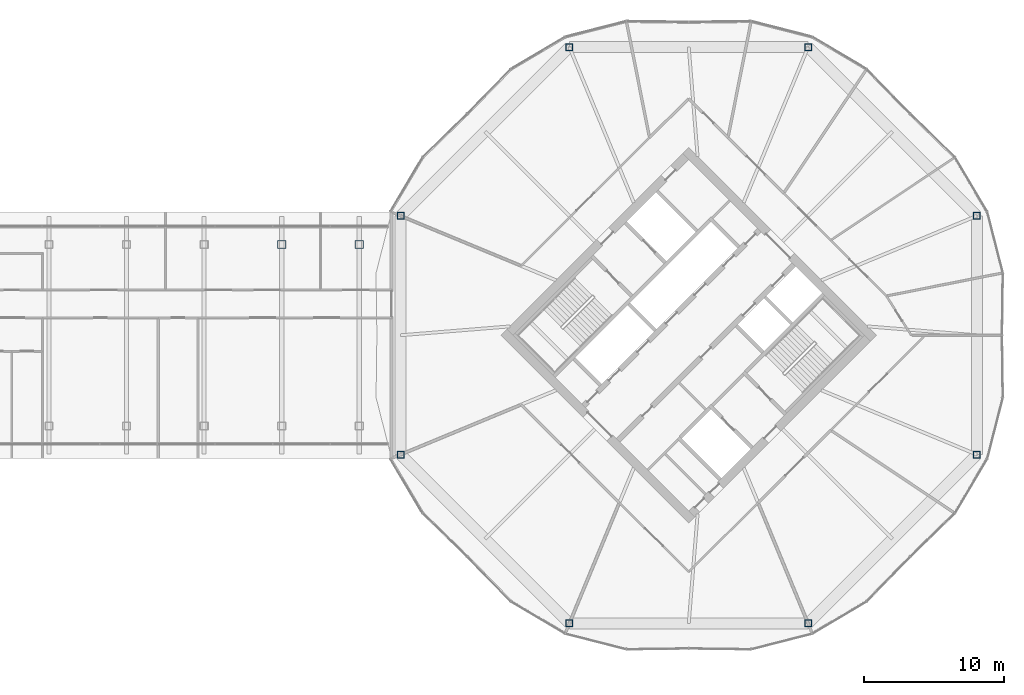
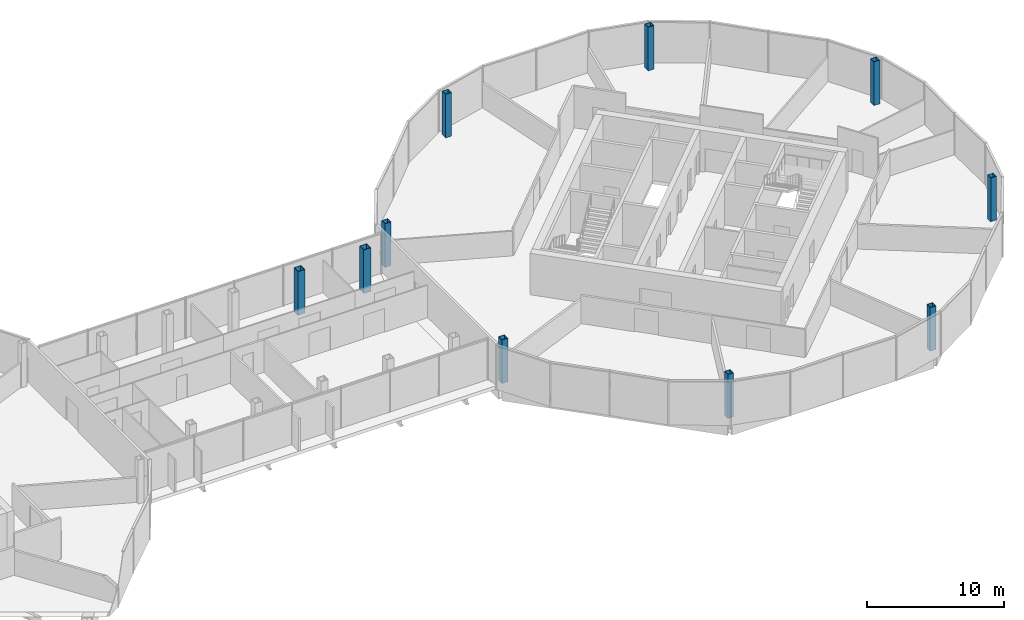
# One storey, part 2 of 26: 10 columns.
"""IFC4 building model written with IfcOpenShell, lengths in metres."""

from ifc_helpers import new_model, si_unit, direction, frame, origin, origin_2d, place, context, subcontext, project, spatial, hollow_rectangle, extrude, material, material_profile, profile_set, type_object, element, save


model = new_model("IFC4")

# Units and contexts
model_context = context("Model", 3, precision=1e-05, world=origin(), true_north=direction((0.0, 1.0)))
body_context = subcontext(model_context, "Body", "Model", "MODEL_VIEW")
ifc_project = project(units=[si_unit("LENGTHUNIT", "METRE"), si_unit("AREAUNIT", "SQUARE_METRE"), si_unit("VOLUMEUNIT", "CUBIC_METRE"), si_unit("PLANEANGLEUNIT", "RADIAN"), si_unit("MASSUNIT", "GRAM", prefix="KILO")], contexts=[model_context])

# Site, building, storey
site_placement = place(None, origin())
site = spatial("IfcSite", under=ifc_project, at=site_placement, CompositionType="ELEMENT")
building_placement = place(site_placement, origin())
building = spatial("IfcBuilding", under=site, at=building_placement, Name="Ogive Gate Towers", CompositionType="ELEMENT")
storey_placement = place(building_placement, frame((0.0, 0.0, 156.800048828125)))
storey = spatial("IfcBuildingStorey", under=building, at=storey_placement, Name="L37", CompositionType="ELEMENT", Elevation=156.800048828125)

# Columns
ifc_material = material(Name="Steel SM460", Category="steel")
ifc_material_profile_1 = material_profile(ifc_material, hollow_rectangle(XDim=0.60009765625, YDim=0.60009765625, WallThickness=0.0400390625, at=origin_2d()), Name="BX 600x600x40")
ifc_profile_set_1 = profile_set([ifc_material_profile_1], Name="Steel SM460")
column_type_1 = type_object("IfcColumnType", Name="Block column BX 600x600x40", PredefinedType="COLUMN", material=ifc_profile_set_1)
for number, where, z_axis, x_axis, name in (
    (1, (6.8388671875, 6.5, 0.0), (0.0, 0.0, 1.0), (1.0, 0.0, 0.0), "BR/L37/SCL008"),
    (2, (12.3955078125, 6.5, 0.0), (0.0, 0.0, 1.0), (1.0, 0.0, 0.0), "BR/L37/SCL010"),
):
    element("IfcColumn", number, at=place(storey_placement, frame(where, z_axis=z_axis, x_axis=x_axis)), inside=storey, type_object=column_type_1, Name=name, PredefinedType="COLUMN", context=body_context, shape_type="SweptSolid", body=[
        extrude(hollow_rectangle(XDim=0.60009765625, YDim=0.60009765625, WallThickness=0.0400390625, at=origin_2d()), origin(), (0.0, 0.0, 1.0), 3.89990234375),
    ])
ifc_material_profile_2 = material_profile(ifc_material, hollow_rectangle(XDim=0.5, YDim=0.5, WallThickness=0.030029296875, at=origin_2d()), Name="BX 500x500x30")
ifc_profile_set_2 = profile_set([ifc_material_profile_2], Name="Steel SM460")
column_type_2 = type_object("IfcColumnType", Name="Perimeter post BX 500x500x30", PredefinedType="COLUMN", material=ifc_profile_set_2)
for number, where, z_axis, x_axis, name in (
    (3, (56.639404296875, 8.549072265625, 0.0), (0.0, 0.0, 1.0), (1.0, 0.0, 0.0), "T2/L37/SCL001"),
    (4, (44.549072265625, 20.639404296875, 0.0), (0.0, 0.0, 1.0), (1.0, 0.0, 0.0), "T2/L37/SCL002"),
    (5, (27.450927734375, 20.639404296875, 0.0), (0.0, 0.0, 1.0), (1.0, 0.0, 0.0), "T2/L37/SCL003"),
    (6, (15.360595703125, 8.549072265625, 0.0), (0.0, 0.0, 1.0), (1.0, 0.0, 0.0), "T2/L37/SCL004"),
    (7, (15.360595703125, -8.549072265625, 0.0), (0.0, 0.0, 1.0), (1.0, 0.0, 0.0), "T2/L37/SCL005"),
    (8, (27.450927734375, -20.639404296875, 0.0), (0.0, 0.0, 1.0), (1.0, 0.0, 0.0), "T2/L37/SCL006"),
    (9, (44.549072265625, -20.639404296875, 0.0), (0.0, 0.0, 1.0), (1.0, 0.0, 0.0), "T2/L37/SCL007"),
    (10, (56.639404296875, -8.549072265625, 0.0), (0.0, 0.0, 1.0), (1.0, 0.0, 0.0), "T2/L37/SCL008"),
):
    element("IfcColumn", number, at=place(storey_placement, frame(where, z_axis=z_axis, x_axis=x_axis)), inside=storey, type_object=column_type_2, Name=name, PredefinedType="COLUMN", context=body_context, shape_type="SweptSolid", body=[
        extrude(hollow_rectangle(XDim=0.5, YDim=0.5, WallThickness=0.030029296875, at=origin_2d()), origin(), (0.0, 0.0, 1.0), 3.89990234375),
    ])

save(model, "model.ifc")
